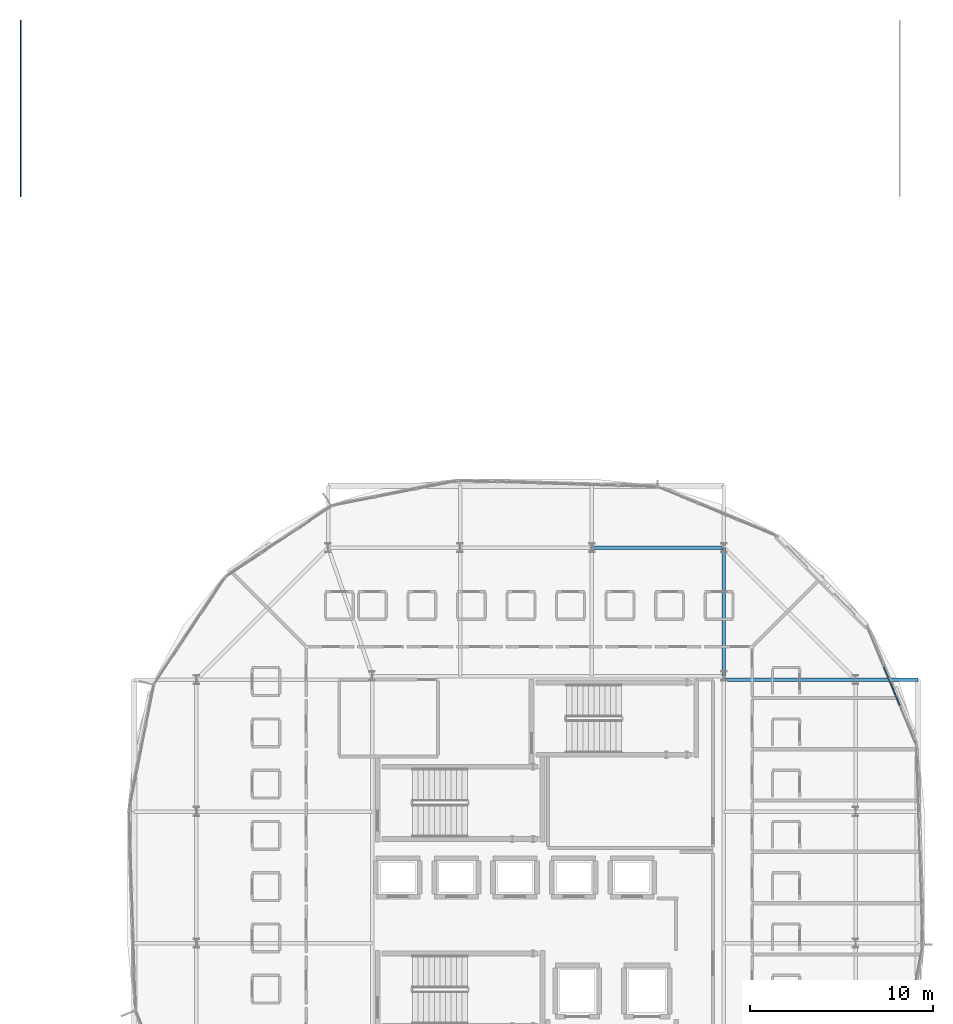
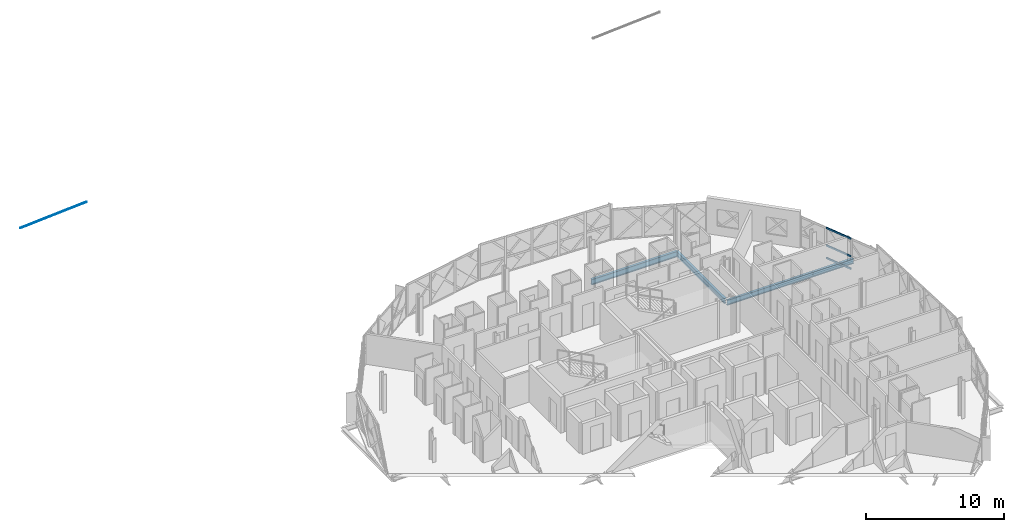
# One storey, part 12 of 26: 4 beams, 4 members, 1 element without a shape of its own.
"""IFC4 building model written with IfcOpenShell, lengths in metres."""

import ifcopenshell
import ifcopenshell.guid

model = None  # the IFC model being written
_history = None  # IfcOwnerHistory: only IFC2X3 demands one
_inside = {}  # id of a spatial element -> (the spatial element, [elements in it])
_under = {}  # id of a project, library or spatial element -> (it, [spatial elements below it])
_declared = {}  # id of a project -> (the project, [libraries it declares])
_typed = {}  # id of a type object -> (the type object, [elements of that type])
_made_of = {}  # id of a material, layer set ... -> (it, [elements and type objects made of it])


def new_model(schema):
    """Start an empty IFC model of exactly this schema.

    Asked for "IFC4X3", IfcOpenShell would pick the latest addendum, in which some entities
    have other attributes; the version numbers below select the first issue.
    IFC2X3 requires an IfcOwnerHistory on every rooted entity: one is made here for all.
    """
    global model, _history
    if schema == "IFC4X3":
        model = ifcopenshell.file(schema_version=(4, 3, 0, 0))
    else:
        model = ifcopenshell.file(schema=schema)
    _inside.clear()
    _under.clear()
    _declared.clear()
    _typed.clear()
    _made_of.clear()
    _history = None
    if model.schema == "IFC2X3":
        org = make("IfcOrganization", Name="unknown")
        user = make(
            "IfcPersonAndOrganization",
            ThePerson=make("IfcPerson", FamilyName="unknown"),
            TheOrganization=org,
        )
        app = make(
            "IfcApplication",
            ApplicationDeveloper=org,
            Version="unknown",
            ApplicationFullName="unknown",
            ApplicationIdentifier="unknown",
        )
        _history = make(
            "IfcOwnerHistory",
            OwningUser=user,
            OwningApplication=app,
            ChangeAction="ADDED",
            CreationDate=0,
        )
    return model


def make(cls, **values):
    """One entity of the class cls with the attributes given. An attribute that is None is left unset."""
    return model.create_entity(
        cls, **{name: value for name, value in values.items() if value is not None}
    )


def rooted(cls, **values):
    """An entity with a GlobalId (a new one), such as an element, a storey or a relation."""
    return make(cls, GlobalId=ifcopenshell.guid.new(), OwnerHistory=_history, **values)


def si_unit(unit_type, name, prefix=None):
    """IfcSIUnit, for example si_unit("LENGTHUNIT", "METRE", prefix="MILLI")."""
    return make("IfcSIUnit", UnitType=unit_type, Prefix=prefix, Name=name)


def assignment(units):
    """IfcUnitAssignment: the units of a project."""
    return None if units is None else make("IfcUnitAssignment", Units=units)


def point(xyz):
    """IfcCartesianPoint."""
    return None if xyz is None else make("IfcCartesianPoint", Coordinates=xyz)


def direction(xyz):
    """IfcDirection."""
    return None if xyz is None else make("IfcDirection", DirectionRatios=xyz)


def frame(location, z_axis=None, x_axis=None):
    """IfcAxis2Placement3D, a coordinate frame: its origin and axes. An axis left out is left unset."""
    return make(
        "IfcAxis2Placement3D",
        Location=point(location),
        Axis=direction(z_axis),
        RefDirection=direction(x_axis),
    )


def frame_2d(location, x_axis=None):
    """IfcAxis2Placement2D, a coordinate frame in the plane: its origin and x axis."""
    return make(
        "IfcAxis2Placement2D", Location=point(location), RefDirection=direction(x_axis)
    )


def origin():
    """The frame at (0, 0, 0) with its axes left unset."""
    return frame((0.0, 0.0, 0.0))


def origin_2d():
    """The frame at (0, 0) in the plane with its x axis left unset."""
    return frame_2d((0.0, 0.0))


def place(relative_to, where):
    """IfcLocalPlacement: puts the frame where relative to a parent placement (None: the world)."""
    return make(
        "IfcLocalPlacement", PlacementRelTo=relative_to, RelativePlacement=where
    )


def context(
    kind, dimensions, precision=None, world=None, true_north=None, identifier=None
):
    """IfcGeometricRepresentationContext, for example the 3D "Model" context."""
    return make(
        "IfcGeometricRepresentationContext",
        ContextIdentifier=identifier,
        ContextType=kind,
        CoordinateSpaceDimension=dimensions,
        Precision=precision,
        WorldCoordinateSystem=world,
        TrueNorth=true_north,
    )


def subcontext(parent, identifier, kind, view, scale=None):
    """IfcGeometricRepresentationSubContext, for example "Body" below "Model"."""
    return make(
        "IfcGeometricRepresentationSubContext",
        ContextIdentifier=identifier,
        ContextType=kind,
        ParentContext=parent,
        TargetScale=scale,
        TargetView=view,
    )


def project(units=None, contexts=None):
    """IfcProject with its units and contexts."""
    return rooted(
        "IfcProject",
        Name="project",
        RepresentationContexts=contexts,
        UnitsInContext=assignment(units),
    )


def spatial(cls, under=None, at=None, **own):
    """A site, building, storey or space (cls), placed at a placement, below another one or the project."""
    s = rooted(cls, ObjectPlacement=at, **own)
    if under is not None:
        _under.setdefault(under.id(), (under, []))[1].append(s)
    return s


def profile(cls, at=None, kind="AREA", **sizes):
    """A parametric profile (cls). Its sizes go by their IFC names, for example OverallWidth=200.0."""
    return make(cls, ProfileType=kind, Position=at, **sizes)


def rectangle(**sizes):
    """IfcRectangleProfileDef."""
    return profile("IfcRectangleProfileDef", **sizes)


def circle(**sizes):
    """IfcCircleProfileDef."""
    return profile("IfcCircleProfileDef", **sizes)


def i_section(**sizes):
    """IfcIShapeProfileDef."""
    return profile("IfcIShapeProfileDef", **sizes)


def extrude(swept, where, along, depth):
    """IfcExtrudedAreaSolid: the profile swept, set in the frame where, extruded along a direction by depth."""
    return make(
        "IfcExtrudedAreaSolid",
        SweptArea=swept,
        Position=where,
        ExtrudedDirection=direction(along),
        Depth=depth,
    )


def shape(context_of_items, identifier, shape_type, items):
    """IfcShapeRepresentation: the items that make up one representation, for example the "Body"."""
    return make(
        "IfcShapeRepresentation",
        ContextOfItems=context_of_items,
        RepresentationIdentifier=identifier,
        RepresentationType=shape_type,
        Items=items,
    )


def material(Name=None, Category=None):
    """IfcMaterial."""
    return make("IfcMaterial", Name=Name, Category=Category)


def layer(
    of_material, thickness, ventilated=None, Name=None, Category=None, Priority=None
):
    """IfcMaterialLayer: one layer of a wall or slab, of a material (None: an air gap)."""
    return make(
        "IfcMaterialLayer",
        Material=of_material,
        LayerThickness=thickness,
        IsVentilated=ventilated,
        Name=Name,
        Category=Category,
        Priority=Priority,
    )


def layer_set(layers, Name=None):
    """IfcMaterialLayerSet."""
    return make("IfcMaterialLayerSet", MaterialLayers=layers, LayerSetName=Name)


def material_profile(
    of_material, cross_section, Name=None, Category=None, Priority=None
):
    """IfcMaterialProfile: a cross section and its material."""
    return make(
        "IfcMaterialProfile",
        Name=Name,
        Material=of_material,
        Profile=cross_section,
        Priority=Priority,
        Category=Category,
    )


def profile_set(profiles, Name=None, composite=None):
    """IfcMaterialProfileSet."""
    return make(
        "IfcMaterialProfileSet",
        Name=Name,
        MaterialProfiles=profiles,
        CompositeProfile=composite,
    )


def made_of(thing, what):
    """Note that an element or type object is made of a material, layer set ...; save() writes the relation."""
    if what is not None:
        _made_of.setdefault(what.id(), (what, []))[1].append(thing)
    return thing


def type_object(cls, material=None, **own):
    """A type object (cls), such as IfcWallType, which elements share."""
    return made_of(rooted(cls, **own), material)


def element(
    cls,
    number,
    at=None,
    inside=None,
    cuts=None,
    type_object=None,
    material=None,
    context=None,
    identifier="Body",
    shape_type=None,
    held_by="IfcProductDefinitionShape",
    body=None,
    shapes=None,
    **own,
):
    """One element of the class cls, such as IfcWall. Its Tag is "e" and its number.

    at: its placement. inside: the storey or other place that contains it. cuts: it is an
    opening in that element (IfcRelVoidsElement). A single representation is given by context,
    identifier, shape_type and body (its items); several are given by shapes. held_by: the class
    of the entity that holds the representations. save() writes the other relations.
    """
    e = rooted(cls, Tag="e%d" % number, ObjectPlacement=at, **own)
    if body is not None:
        shapes = [shape(context, identifier, shape_type, body)]
    if shapes is not None:
        e.Representation = make(held_by, Representations=shapes)
    if inside is not None:
        _inside.setdefault(inside.id(), (inside, []))[1].append(e)
    if cuts is not None:
        rooted(
            "IfcRelVoidsElement", RelatingBuildingElement=cuts, RelatedOpeningElement=e
        )
    if type_object is not None:
        _typed.setdefault(type_object.id(), (type_object, []))[1].append(e)
    return made_of(e, material)


def aggregate(whole, parts):
    """IfcRelAggregates: a whole, such as a stair, and the parts it consists of."""
    return rooted("IfcRelAggregates", RelatingObject=whole, RelatedObjects=parts)


def save(model, path):
    """Write the relations noted so far, then the file.

    IfcRelAggregates (storeys below a building ...), IfcRelContainedInSpatialStructure (elements
    in a storey), IfcRelDefinesByType, IfcRelAssociatesMaterial and IfcRelDeclares: one each for
    every whole, place, type object, material and project.
    """
    for whole, parts in _under.values():
        aggregate(whole, parts)
    for where, things in _inside.values():
        rooted(
            "IfcRelContainedInSpatialStructure",
            RelatedElements=things,
            RelatingStructure=where,
        )
    for kind, things in _typed.values():
        rooted("IfcRelDefinesByType", RelatedObjects=things, RelatingType=kind)
    for what, things in _made_of.values():
        rooted("IfcRelAssociatesMaterial", RelatedObjects=things, RelatingMaterial=what)
    for by, libraries in _declared.values():
        rooted("IfcRelDeclares", RelatingContext=by, RelatedDefinitions=libraries)
    model.write(path)


model = new_model("IFC4")

# Units and contexts
model_context = context("Model", 3, precision=1e-05, world=origin(), true_north=direction((0.0, 1.0)))
body_context = subcontext(model_context, "Body", "Model", "MODEL_VIEW")
ifc_project = project(units=[si_unit("LENGTHUNIT", "METRE"), si_unit("AREAUNIT", "SQUARE_METRE"), si_unit("VOLUMEUNIT", "CUBIC_METRE"), si_unit("PLANEANGLEUNIT", "RADIAN"), si_unit("MASSUNIT", "GRAM", prefix="KILO")], contexts=[model_context])

# Site, building, storey
site_placement = place(None, origin())
site = spatial("IfcSite", under=ifc_project, at=site_placement, CompositionType="ELEMENT")
building_placement = place(site_placement, origin())
building = spatial("IfcBuilding", under=site, at=building_placement, Name="Zevrakil Square Congress Hotel", CompositionType="ELEMENT")
storey_placement = place(building_placement, frame((0.0, 0.0, 24.89990234375)))
storey = spatial("IfcBuildingStorey", under=building, at=storey_placement, Name="L07", CompositionType="ELEMENT", Elevation=24.89990234375)

# Beams
ifc_material_1 = material(Name="Steel S355", Category="steel")
ifc_material_profile_1 = material_profile(ifc_material_1, i_section(OverallWidth=0.18994140625, OverallDepth=0.449951171875, WebThickness=0.009521484375, FlangeThickness=0.0146484375, FilletRadius=0.02099609375, at=origin_2d()), Name="IPE 450")
ifc_profile_set_1 = profile_set([ifc_material_profile_1], Name="Steel S355")
beam_type_1 = type_object("IfcBeamType", Name="BM-IPE450", PredefinedType="BEAM", material=ifc_profile_set_1)
beam_1_placement = place(storey_placement, frame((156.0, 38.39990234375, -0.429931640625), z_axis=(1.0, 0.0, 0.0), x_axis=(0.0, 1.0, 0.0)))
element("IfcBeam", 1, at=beam_1_placement, inside=storey, type_object=beam_type_1, Name="L07 drum radial floor beam DRI-08", PredefinedType="BEAM", context=body_context, shape_type="SweptSolid", body=[
    extrude(i_section(OverallWidth=0.18994140625, OverallDepth=0.449951171875, WebThickness=0.009521484375, FlangeThickness=0.0146484375, FilletRadius=0.02099609375, at=origin_2d()), origin(), (0.0, 0.0, 1.0), 7.199951171875),
])
beam_2_placement = place(storey_placement, frame((163.199951171875, 38.39990234375, -0.429931640625), z_axis=(1.0, 0.0, 0.0), x_axis=(0.0, 1.0, 0.0)))
element("IfcBeam", 2, at=beam_2_placement, inside=storey, type_object=beam_type_1, Name="L07 drum radial edge cantilever beam DRO-08", PredefinedType="BEAM", context=body_context, shape_type="SweptSolid", body=[
    extrude(i_section(OverallWidth=0.18994140625, OverallDepth=0.449951171875, WebThickness=0.009521484375, FlangeThickness=0.0146484375, FilletRadius=0.02099609375, at=origin_2d()), origin(), (0.0, 0.0, 1.0), 3.400146484375),
])
beam_3_placement = place(storey_placement, frame((156.0, 38.60009765625, -0.429931640625), z_axis=(0.0, 1.0, 0.0), x_axis=(-1.0, 0.0, 0.0)))
element("IfcBeam", 3, at=beam_3_placement, inside=storey, type_object=beam_type_1, Name="L07 drum radial floor beam DRI-09", PredefinedType="BEAM", context=body_context, shape_type="SweptSolid", body=[
    extrude(i_section(OverallWidth=0.18994140625, OverallDepth=0.449951171875, WebThickness=0.009521484375, FlangeThickness=0.0146484375, FilletRadius=0.02099609375, at=origin_2d()), origin(), (0.0, 0.0, 1.0), 7.0),
])
ifc_material_2 = material(Name="Steel S355", Category="steel")
ifc_material_profile_2 = material_profile(ifc_material_2, i_section(OverallWidth=0.199951171875, OverallDepth=0.5, WebThickness=0.01025390625, FlangeThickness=0.01611328125, FilletRadius=0.02099609375, at=origin_2d()), Name="IPE 500")
ifc_profile_set_2 = profile_set([ifc_material_profile_2], Name="Steel S355")
beam_type_2 = type_object("IfcBeamType", Name="BM-IPE500", PredefinedType="BEAM", material=ifc_profile_set_2)
beam_4_placement = place(storey_placement, frame((156.0, 45.60009765625, -0.454833984375), z_axis=(-1.0, 0.0, 0.0), x_axis=(0.0, -1.0, 0.0)))
element("IfcBeam", 4, at=beam_4_placement, inside=storey, type_object=beam_type_2, Name="L07 drum ring girder DRB-09", PredefinedType="BEAM", context=body_context, shape_type="SweptSolid", body=[
    extrude(i_section(OverallWidth=0.199951171875, OverallDepth=0.5, WebThickness=0.01025390625, FlangeThickness=0.01611328125, FilletRadius=0.02099609375, at=origin_2d()), origin(), (0.0, 0.0, 1.0), 7.199951171875),
])

# Curtain wall, members
ifc_material_3 = material(Name="Aluminium Anodised Bronze", Category="aluminium")
ifc_layer = layer(ifc_material_3, 0.179931640625)
ifc_layer_set = layer_set([ifc_layer], Name="Aluminium Anodised Bronze")
curtain_wall_type = type_object("IfcCurtainWallType", Name="CW-L07-720", PredefinedType="USERDEFINED", material=ifc_layer_set)
curtain_wall_placement = place(storey_placement, origin())
curtain_wall = element("IfcCurtainWall", 5, at=curtain_wall_placement, inside=storey, type_object=curtain_wall_type, Name="L07 diamond curtain wall CW-L07-0224", ObjectType="GLAZED CURTAIN WALL", PredefinedType="USERDEFINED")
ifc_material_4 = material(Name="Aluminium Anodised Bronze", Category="aluminium")
ifc_material_profile_3 = material_profile(ifc_material_4, rectangle(XDim=0.074951171875, YDim=0.14990234375, at=origin_2d()), Name="ALU 75x150")
ifc_profile_set_3 = profile_set([ifc_material_profile_3], Name="Aluminium Anodised Bronze")
member_type_1 = type_object("IfcMemberType", Name="CWM-ALU75x150", PredefinedType="USERDEFINED", material=ifc_profile_set_3)
member_1_placement = place(storey_placement, frame((165.60986328125, 36.992919921875, 0.030029296875), z_axis=(-0.382648740238, 0.923893901698, 0.0), x_axis=(-0.923893901698, -0.382648740238, 0.0)))
member_1 = element("IfcMember", 6, at=member_1_placement, type_object=member_type_1, Name="CW-82 transom 2.1", ObjectType="TRANSOM", PredefinedType="USERDEFINED", context=body_context, shape_type="SweptSolid", body=[
    extrude(rectangle(XDim=0.074951171875, YDim=0.14990234375, at=origin_2d()), origin(), (0.0, 0.0, 1.0), 2.275146484375),
])
member_2_placement = place(storey_placement, frame((165.60986328125, 36.992919921875, 1.14453125), z_axis=(-0.382648740238, 0.923893901698, 0.0), x_axis=(-0.923893901698, -0.382648740238, 0.0)))
member_2 = element("IfcMember", 7, at=member_2_placement, type_object=member_type_1, Name="CW-82 transom 2.2", ObjectType="TRANSOM", PredefinedType="USERDEFINED", context=body_context, shape_type="SweptSolid", body=[
    extrude(rectangle(XDim=0.074951171875, YDim=0.14990234375, at=origin_2d()), origin(), (0.0, 0.0, 1.0), 2.275146484375),
])
member_3_placement = place(storey_placement, frame((165.60986328125, 36.992919921875, 2.695068359375), z_axis=(-0.382648740238, 0.923893901698, 0.0), x_axis=(-0.923893901698, -0.382648740238, 0.0)))
member_3 = element("IfcMember", 8, at=member_3_placement, type_object=member_type_1, Name="CW-82 transom 2.3", ObjectType="TRANSOM", PredefinedType="USERDEFINED", context=body_context, shape_type="SweptSolid", body=[
    extrude(rectangle(XDim=0.074951171875, YDim=0.14990234375, at=origin_2d()), origin(), (0.0, 0.0, 1.0), 2.275146484375),
])
aggregate(curtain_wall, [member_1, member_2, member_3])

# Member
ifc_material_5 = material(Name="Steel S355", Category="steel")
ifc_material_profile_4 = material_profile(ifc_material_5, circle(Radius=0.030029296875, at=origin_2d()), Name="CABLE RD60")
ifc_profile_set_4 = profile_set([ifc_material_profile_4], Name="Steel S355")
member_type_2 = type_object("IfcMemberType", Name="MEM-CABLE-RD60", PredefinedType="USERDEFINED", material=ifc_profile_set_4)
member_4_placement = place(storey_placement, frame((117.60009765625, 64.800048828125, 5.900146484375), z_axis=(0.0, 0.763105011423, -0.646274509432), x_axis=(-1.0, 0.0, 0.0)))
element("IfcMember", 9, at=member_4_placement, inside=storey, type_object=member_type_2, Name="Mast MS-01 locked-coil stay cable CS-12", ObjectType="ROOF CABLE", PredefinedType="USERDEFINED", context=body_context, shape_type="SweptSolid", body=[
    extrude(circle(Radius=0.030029296875, at=origin_2d()), origin(), (0.0, 0.0, 1.0), 12.580078125),
])

save(model, "model.ifc")
